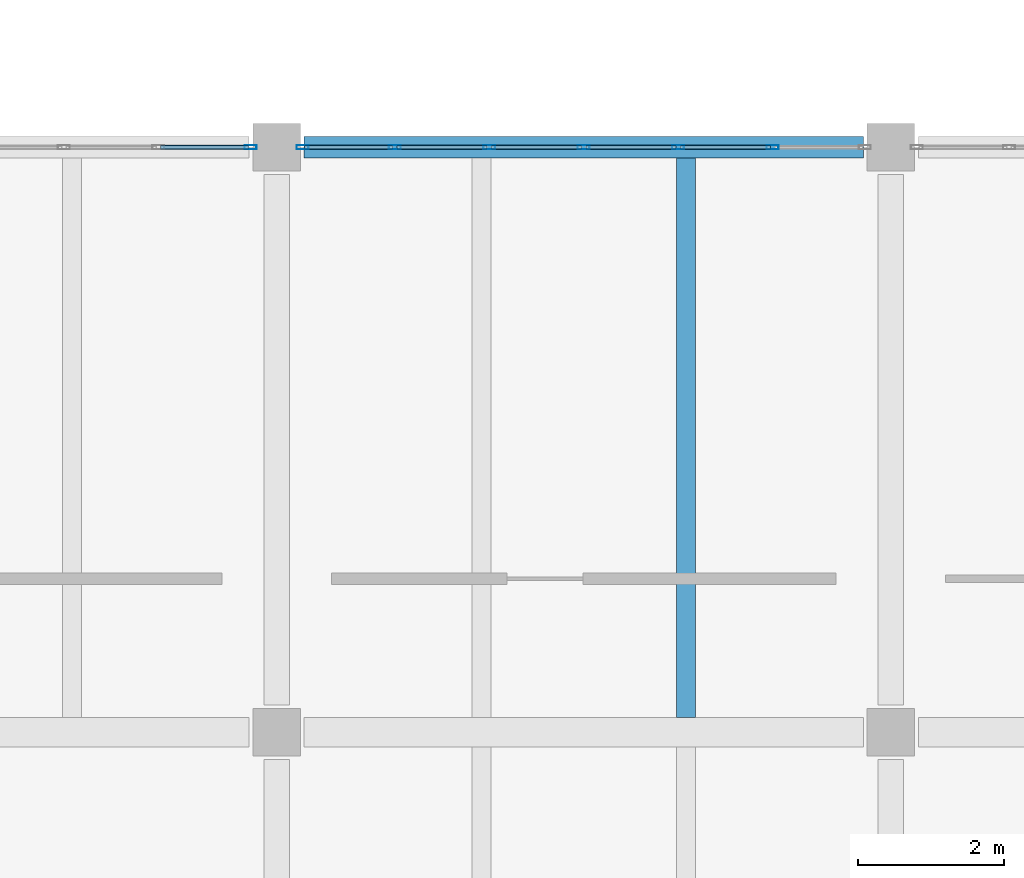
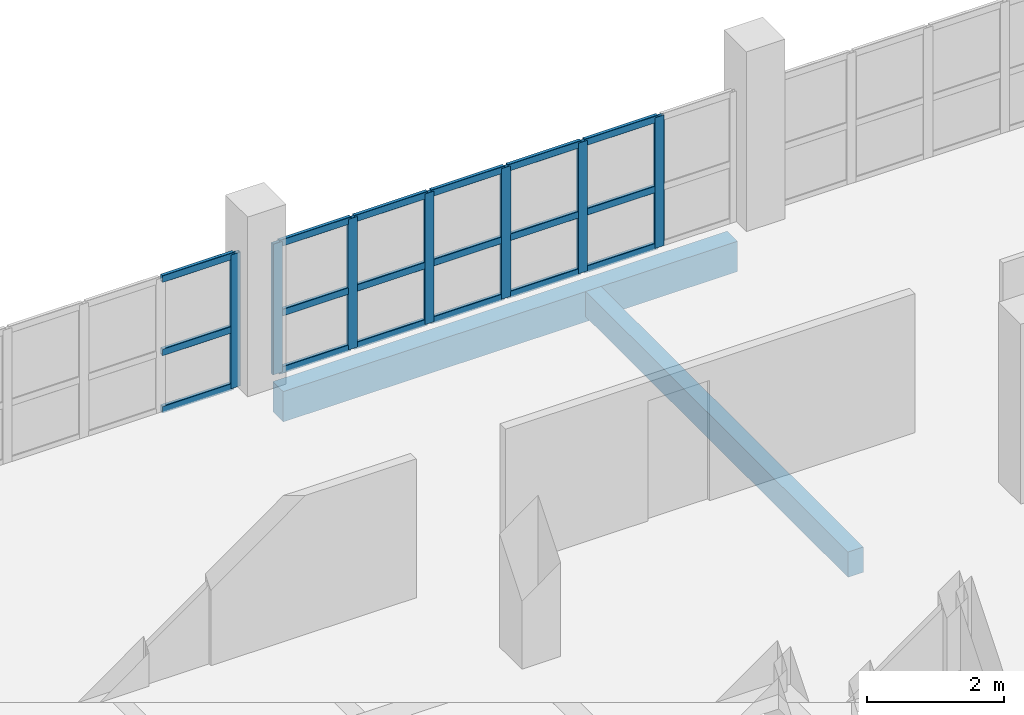
# One storey, part 13 of 33: 25 members, 2 beams, 2 elements without a shape of their own.
"""IFC4 building model written with IfcOpenShell, lengths in metres."""

from ifc_helpers import new_model, si_unit, direction, frame, origin, origin_2d, place, context, subcontext, project, spatial, rectangle, hollow_rectangle, extrude, material, layer, layer_set, material_profile, profile_set, type_object, element, aggregate, save


model = new_model("IFC4")

# Units and contexts
model_context = context("Model", 3, precision=1e-05, world=origin(), true_north=direction((0.0, 1.0)))
body_context = subcontext(model_context, "Body", "Model", "MODEL_VIEW")
ifc_project = project(units=[si_unit("LENGTHUNIT", "METRE"), si_unit("AREAUNIT", "SQUARE_METRE"), si_unit("VOLUMEUNIT", "CUBIC_METRE"), si_unit("PLANEANGLEUNIT", "RADIAN"), si_unit("MASSUNIT", "GRAM", prefix="KILO"), si_unit("THERMODYNAMICTEMPERATUREUNIT", "KELVIN"), si_unit("POWERUNIT", "WATT")], contexts=[model_context])

# Site, building, storey
site_placement = place(None, origin())
site = spatial("IfcSite", under=ifc_project, at=site_placement, CompositionType="ELEMENT")
building_placement = place(site_placement, origin())
building = spatial("IfcBuilding", under=site, at=building_placement, Name="Mavoryth Pier Ferry Terminal", CompositionType="ELEMENT")
storey_placement = place(building_placement, frame((0.0, 0.0, 13.1201171875)))
storey = spatial("IfcBuildingStorey", under=building, at=storey_placement, Name="L03", CompositionType="ELEMENT", Elevation=13.1201171875)

# Beam
ifc_material_1 = material(Name="Concrete C35/45", Category="concrete")
ifc_material_profile_1 = material_profile(ifc_material_1, rectangle(XDim=0.260009765625, YDim=0.449951171875, at=origin_2d()), Name="RC 260x450", Category="concrete")
ifc_profile_set_1 = profile_set([ifc_material_profile_1], Name="Concrete C35/45 - RC 260x450")
beam_type_1 = type_object("IfcBeamType", Name="Joist-RC-260x450", PredefinedType="JOIST", material=ifc_profile_set_1)
beam_1_placement = place(storey_placement, frame((72.800048828125, 14.199951171875, -0.485107421875), z_axis=(0.0, 1.0, 0.0), x_axis=(-1.0, 0.0, 0.0)))
element("IfcBeam", 1, at=beam_1_placement, inside=storey, type_object=beam_type_1, Name="Beam B03-BJ03-1297", PredefinedType="JOIST", context=body_context, shape_type="SweptSolid", body=[
    extrude(rectangle(XDim=0.260009765625, YDim=0.449951171875, at=origin_2d()), origin(), (0.0, 0.0, 1.0), 7.650146484375),
])

# Curtain wall, member
ifc_material_2 = material(Name="Anodised Aluminium and Solar-Control Low-E Glass", Category="aluminium")
ifc_layer = layer(ifc_material_2, 0.239990234375, Name="Anodised Aluminium and Solar-Control Low-E Glass", Category="aluminium")
ifc_layer_set = layer_set([ifc_layer], Name="Anodised Aluminium and Solar-Control Low-E Glass - CW-Operations-Mod1200")
curtain_wall_type = type_object("IfcCurtainWallType", Name="CW-Operations-Mod1200", PredefinedType="USERDEFINED", material=ifc_layer_set)
curtain_wall_1_placement = place(storey_placement, origin())
curtain_wall_1 = element("IfcCurtainWall", 2, at=curtain_wall_1_placement, inside=storey, type_object=curtain_wall_type, Name="Curtain Wall CW-0322-141", ObjectType="UNITISED CURTAIN WALL", PredefinedType="USERDEFINED")
ifc_material_3 = material(Name="Anodised Aluminium EN AW-6063", Category="aluminium")
ifc_material_profile_2 = material_profile(ifc_material_3, hollow_rectangle(XDim=0.06005859375, YDim=0.1650390625, WallThickness=0.00390625, InnerFilletRadius=0.00390625, OuterFilletRadius=0.008056640625, at=origin_2d()), Name="AL-MULL 165x60x4", Category="aluminium")
ifc_profile_set_2 = profile_set([ifc_material_profile_2], Name="Anodised Aluminium EN AW-6063 - AL-MULL 165x60x4")
member_type_1 = type_object("IfcMemberType", Name="Mullion-Alum-165x60", PredefinedType="MULLION", material=ifc_profile_set_2)
member_1_placement = place(storey_placement, frame((66.844970703125, 22.0, 0.0), z_axis=(0.0, 0.0, 1.0), x_axis=(0.0, -1.0, 0.0)))
member_1 = element("IfcMember", 3, at=member_1_placement, type_object=member_type_1, Name="CW06 mullion 1", PredefinedType="MULLION", context=body_context, shape_type="SweptSolid", body=[
    extrude(hollow_rectangle(XDim=0.06005859375, YDim=0.1650390625, WallThickness=0.00390625, InnerFilletRadius=0.00390625, OuterFilletRadius=0.008056640625, at=origin_2d()), origin(), (0.0, 0.0, 1.0), 2.384765625),
])

# Curtain wall, members
curtain_wall_2_placement = place(storey_placement, origin())
curtain_wall_2 = element("IfcCurtainWall", 4, at=curtain_wall_2_placement, inside=storey, type_object=curtain_wall_type, Name="Curtain Wall CW-0322-143", ObjectType="UNITISED CURTAIN WALL", PredefinedType="USERDEFINED")
member_2_placement = place(storey_placement, frame((73.9833984375, 22.0, 0.0), z_axis=(0.0, 0.0, 1.0), x_axis=(0.0, -1.0, 0.0)))
member_2 = element("IfcMember", 5, at=member_2_placement, type_object=member_type_1, Name="CW06 mullion 2", PredefinedType="MULLION", context=body_context, shape_type="SweptSolid", body=[
    extrude(hollow_rectangle(XDim=0.06005859375, YDim=0.1650390625, WallThickness=0.00390625, InnerFilletRadius=0.00390625, OuterFilletRadius=0.008056640625, at=origin_2d()), origin(), (0.0, 0.0, 1.0), 2.324951171875),
])
member_3_placement = place(storey_placement, frame((72.691650390625, 22.0, 0.0), z_axis=(0.0, 0.0, 1.0), x_axis=(0.0, -1.0, 0.0)))
member_3 = element("IfcMember", 6, at=member_3_placement, type_object=member_type_1, Name="CW06 mullion 3", PredefinedType="MULLION", context=body_context, shape_type="SweptSolid", body=[
    extrude(hollow_rectangle(XDim=0.06005859375, YDim=0.1650390625, WallThickness=0.00390625, InnerFilletRadius=0.00390625, OuterFilletRadius=0.008056640625, at=origin_2d()), origin(), (0.0, 0.0, 1.0), 2.324951171875),
])
member_4_placement = place(storey_placement, frame((71.39990234375, 22.0, 0.0), z_axis=(0.0, 0.0, 1.0), x_axis=(0.0, -1.0, 0.0)))
member_4 = element("IfcMember", 7, at=member_4_placement, type_object=member_type_1, Name="CW06 mullion 4", PredefinedType="MULLION", context=body_context, shape_type="SweptSolid", body=[
    extrude(hollow_rectangle(XDim=0.06005859375, YDim=0.1650390625, WallThickness=0.00390625, InnerFilletRadius=0.00390625, OuterFilletRadius=0.008056640625, at=origin_2d()), origin(), (0.0, 0.0, 1.0), 2.324951171875),
])
member_5_placement = place(storey_placement, frame((70.1083984375, 22.0, 0.0), z_axis=(0.0, 0.0, 1.0), x_axis=(0.0, -1.0, 0.0)))
member_5 = element("IfcMember", 8, at=member_5_placement, type_object=member_type_1, Name="CW06 mullion 5", PredefinedType="MULLION", context=body_context, shape_type="SweptSolid", body=[
    extrude(hollow_rectangle(XDim=0.06005859375, YDim=0.1650390625, WallThickness=0.00390625, InnerFilletRadius=0.00390625, OuterFilletRadius=0.008056640625, at=origin_2d()), origin(), (0.0, 0.0, 1.0), 2.324951171875),
])
member_6_placement = place(storey_placement, frame((68.816650390625, 22.0, 0.0), z_axis=(0.0, 0.0, 1.0), x_axis=(0.0, -1.0, 0.0)))
member_6 = element("IfcMember", 9, at=member_6_placement, type_object=member_type_1, Name="CW06 mullion 6", PredefinedType="MULLION", context=body_context, shape_type="SweptSolid", body=[
    extrude(hollow_rectangle(XDim=0.06005859375, YDim=0.1650390625, WallThickness=0.00390625, InnerFilletRadius=0.00390625, OuterFilletRadius=0.008056640625, at=origin_2d()), origin(), (0.0, 0.0, 1.0), 2.324951171875),
])
member_7_placement = place(storey_placement, frame((67.554931640625, 22.0, 0.0), z_axis=(0.0, 0.0, 1.0), x_axis=(0.0, -1.0, 0.0)))
member_7 = element("IfcMember", 10, at=member_7_placement, type_object=member_type_1, Name="CW06 mullion 7", PredefinedType="MULLION", context=body_context, shape_type="SweptSolid", body=[
    extrude(hollow_rectangle(XDim=0.06005859375, YDim=0.1650390625, WallThickness=0.00390625, InnerFilletRadius=0.00390625, OuterFilletRadius=0.008056640625, at=origin_2d()), origin(), (0.0, 0.0, 1.0), 2.324951171875),
])

# Beam
ifc_material_profile_3 = material_profile(ifc_material_1, rectangle(XDim=0.300048828125, YDim=0.5400390625, at=origin_2d()), Name="RC 300x540", Category="concrete")
ifc_profile_set_3 = profile_set([ifc_material_profile_3], Name="Concrete C35/45 - RC 300x540")
beam_type_2 = type_object("IfcBeamType", Name="Spandrel-RC-300x540", PredefinedType="SPANDREL", material=ifc_profile_set_3)
beam_2_placement = place(storey_placement, frame((67.574951171875, 22.0, -0.530029296875), z_axis=(1.0, 0.0, 0.0), x_axis=(0.0, 1.0, 0.0)))
element("IfcBeam", 11, at=beam_2_placement, inside=storey, type_object=beam_type_2, Name="Beam B03-SP02-1254", PredefinedType="SPANDREL", context=body_context, shape_type="SweptSolid", body=[
    extrude(rectangle(XDim=0.300048828125, YDim=0.5400390625, at=origin_2d()), origin(), (0.0, 0.0, 1.0), 7.650146484375),
])

# Member
ifc_material_profile_4 = material_profile(ifc_material_3, hollow_rectangle(XDim=0.06005859375, YDim=0.125, WallThickness=0.00390625, InnerFilletRadius=0.00390625, OuterFilletRadius=0.008056640625, at=origin_2d()), Name="AL-TRAN 125x60x4", Category="aluminium")
ifc_profile_set_4 = profile_set([ifc_material_profile_4], Name="Anodised Aluminium EN AW-6063 - AL-TRAN 125x60x4")
member_type_2 = type_object("IfcMemberType", Name="Transom-Alum-125x60", PredefinedType="USERDEFINED", material=ifc_profile_set_4)
member_8_placement = place(storey_placement, frame((66.81494140625, 22.0, 0.02978515625), z_axis=(-1.0, 0.0, 0.0), x_axis=(0.0, -1.0, 0.0)))
member_8 = element("IfcMember", 12, at=member_8_placement, type_object=member_type_2, Name="CW06 transom 1.1", ObjectType="TRANSOM", PredefinedType="USERDEFINED", context=body_context, shape_type="SweptSolid", body=[
    extrude(hollow_rectangle(XDim=0.06005859375, YDim=0.125, WallThickness=0.00390625, InnerFilletRadius=0.00390625, OuterFilletRadius=0.008056640625, at=origin_2d()), origin(), (0.0, 0.0, 1.0), 1.20166015625),
])

member_9_placement = place(storey_placement, frame((66.81494140625, 22.0, 1.0498046875), z_axis=(-1.0, 0.0, 0.0), x_axis=(0.0, -1.0, 0.0)))
member_9 = element("IfcMember", 13, at=member_9_placement, type_object=member_type_2, Name="CW06 transom 1.2", ObjectType="TRANSOM", PredefinedType="USERDEFINED", context=body_context, shape_type="SweptSolid", body=[
    extrude(hollow_rectangle(XDim=0.06005859375, YDim=0.125, WallThickness=0.00390625, InnerFilletRadius=0.00390625, OuterFilletRadius=0.008056640625, at=origin_2d()), origin(), (0.0, 0.0, 1.0), 1.20166015625),
])

member_10_placement = place(storey_placement, frame((66.81494140625, 22.0, 2.35498046875), z_axis=(-1.0, 0.0, 0.0), x_axis=(0.0, -1.0, 0.0)))
member_10 = element("IfcMember", 14, at=member_10_placement, type_object=member_type_2, Name="CW06 transom 1.3", ObjectType="TRANSOM", PredefinedType="USERDEFINED", context=body_context, shape_type="SweptSolid", body=[
    extrude(hollow_rectangle(XDim=0.06005859375, YDim=0.125, WallThickness=0.00390625, InnerFilletRadius=0.00390625, OuterFilletRadius=0.008056640625, at=origin_2d()), origin(), (0.0, 0.0, 1.0), 1.20166015625),
])

aggregate(curtain_wall_1, [member_1, member_8, member_9, member_10])

member_11_placement = place(storey_placement, frame((73.953369140625, 22.0, 0.02978515625), z_axis=(-1.0, 0.0, 0.0), x_axis=(0.0, -1.0, 0.0)))
member_11 = element("IfcMember", 15, at=member_11_placement, type_object=member_type_2, Name="CW06 transom 2.1", ObjectType="TRANSOM", PredefinedType="USERDEFINED", context=body_context, shape_type="SweptSolid", body=[
    extrude(hollow_rectangle(XDim=0.06005859375, YDim=0.125, WallThickness=0.00390625, InnerFilletRadius=0.00390625, OuterFilletRadius=0.008056640625, at=origin_2d()), origin(), (0.0, 0.0, 1.0), 1.231689453125),
])

member_12_placement = place(storey_placement, frame((73.953369140625, 22.0, 1.0498046875), z_axis=(-1.0, 0.0, 0.0), x_axis=(0.0, -1.0, 0.0)))
member_12 = element("IfcMember", 16, at=member_12_placement, type_object=member_type_2, Name="CW06 transom 2.2", ObjectType="TRANSOM", PredefinedType="USERDEFINED", context=body_context, shape_type="SweptSolid", body=[
    extrude(hollow_rectangle(XDim=0.06005859375, YDim=0.125, WallThickness=0.00390625, InnerFilletRadius=0.00390625, OuterFilletRadius=0.008056640625, at=origin_2d()), origin(), (0.0, 0.0, 1.0), 1.231689453125),
])

member_13_placement = place(storey_placement, frame((73.953369140625, 22.0, 2.294921875), z_axis=(-1.0, 0.0, 0.0), x_axis=(0.0, -1.0, 0.0)))
member_13 = element("IfcMember", 17, at=member_13_placement, type_object=member_type_2, Name="CW06 transom 2.3", ObjectType="TRANSOM", PredefinedType="USERDEFINED", context=body_context, shape_type="SweptSolid", body=[
    extrude(hollow_rectangle(XDim=0.06005859375, YDim=0.125, WallThickness=0.00390625, InnerFilletRadius=0.00390625, OuterFilletRadius=0.008056640625, at=origin_2d()), origin(), (0.0, 0.0, 1.0), 1.231689453125),
])

member_14_placement = place(storey_placement, frame((72.66162109375, 22.0, 0.02978515625), z_axis=(-1.0, 0.0, 0.0), x_axis=(0.0, -1.0, 0.0)))
member_14 = element("IfcMember", 18, at=member_14_placement, type_object=member_type_2, Name="CW06 transom 3.1", ObjectType="TRANSOM", PredefinedType="USERDEFINED", context=body_context, shape_type="SweptSolid", body=[
    extrude(hollow_rectangle(XDim=0.06005859375, YDim=0.125, WallThickness=0.00390625, InnerFilletRadius=0.00390625, OuterFilletRadius=0.008056640625, at=origin_2d()), origin(), (0.0, 0.0, 1.0), 1.231689453125),
])

member_15_placement = place(storey_placement, frame((72.66162109375, 22.0, 1.0498046875), z_axis=(-1.0, 0.0, 0.0), x_axis=(0.0, -1.0, 0.0)))
member_15 = element("IfcMember", 19, at=member_15_placement, type_object=member_type_2, Name="CW06 transom 3.2", ObjectType="TRANSOM", PredefinedType="USERDEFINED", context=body_context, shape_type="SweptSolid", body=[
    extrude(hollow_rectangle(XDim=0.06005859375, YDim=0.125, WallThickness=0.00390625, InnerFilletRadius=0.00390625, OuterFilletRadius=0.008056640625, at=origin_2d()), origin(), (0.0, 0.0, 1.0), 1.231689453125),
])

member_16_placement = place(storey_placement, frame((72.66162109375, 22.0, 2.294921875), z_axis=(-1.0, 0.0, 0.0), x_axis=(0.0, -1.0, 0.0)))
member_16 = element("IfcMember", 20, at=member_16_placement, type_object=member_type_2, Name="CW06 transom 3.3", ObjectType="TRANSOM", PredefinedType="USERDEFINED", context=body_context, shape_type="SweptSolid", body=[
    extrude(hollow_rectangle(XDim=0.06005859375, YDim=0.125, WallThickness=0.00390625, InnerFilletRadius=0.00390625, OuterFilletRadius=0.008056640625, at=origin_2d()), origin(), (0.0, 0.0, 1.0), 1.231689453125),
])

member_17_placement = place(storey_placement, frame((71.3701171875, 22.0, 0.02978515625), z_axis=(-1.0, 0.0, 0.0), x_axis=(0.0, -1.0, 0.0)))
member_17 = element("IfcMember", 21, at=member_17_placement, type_object=member_type_2, Name="CW06 transom 4.1", ObjectType="TRANSOM", PredefinedType="USERDEFINED", context=body_context, shape_type="SweptSolid", body=[
    extrude(hollow_rectangle(XDim=0.06005859375, YDim=0.125, WallThickness=0.00390625, InnerFilletRadius=0.00390625, OuterFilletRadius=0.008056640625, at=origin_2d()), origin(), (0.0, 0.0, 1.0), 1.231689453125),
])

member_18_placement = place(storey_placement, frame((71.3701171875, 22.0, 1.0498046875), z_axis=(-1.0, 0.0, 0.0), x_axis=(0.0, -1.0, 0.0)))
member_18 = element("IfcMember", 22, at=member_18_placement, type_object=member_type_2, Name="CW06 transom 4.2", ObjectType="TRANSOM", PredefinedType="USERDEFINED", context=body_context, shape_type="SweptSolid", body=[
    extrude(hollow_rectangle(XDim=0.06005859375, YDim=0.125, WallThickness=0.00390625, InnerFilletRadius=0.00390625, OuterFilletRadius=0.008056640625, at=origin_2d()), origin(), (0.0, 0.0, 1.0), 1.231689453125),
])

member_19_placement = place(storey_placement, frame((71.3701171875, 22.0, 2.294921875), z_axis=(-1.0, 0.0, 0.0), x_axis=(0.0, -1.0, 0.0)))
member_19 = element("IfcMember", 23, at=member_19_placement, type_object=member_type_2, Name="CW06 transom 4.3", ObjectType="TRANSOM", PredefinedType="USERDEFINED", context=body_context, shape_type="SweptSolid", body=[
    extrude(hollow_rectangle(XDim=0.06005859375, YDim=0.125, WallThickness=0.00390625, InnerFilletRadius=0.00390625, OuterFilletRadius=0.008056640625, at=origin_2d()), origin(), (0.0, 0.0, 1.0), 1.231689453125),
])

member_20_placement = place(storey_placement, frame((70.078369140625, 22.0, 0.02978515625), z_axis=(-1.0, 0.0, 0.0), x_axis=(0.0, -1.0, 0.0)))
member_20 = element("IfcMember", 24, at=member_20_placement, type_object=member_type_2, Name="CW06 transom 5.1", ObjectType="TRANSOM", PredefinedType="USERDEFINED", context=body_context, shape_type="SweptSolid", body=[
    extrude(hollow_rectangle(XDim=0.06005859375, YDim=0.125, WallThickness=0.00390625, InnerFilletRadius=0.00390625, OuterFilletRadius=0.008056640625, at=origin_2d()), origin(), (0.0, 0.0, 1.0), 1.231689453125),
])

member_21_placement = place(storey_placement, frame((70.078369140625, 22.0, 1.0498046875), z_axis=(-1.0, 0.0, 0.0), x_axis=(0.0, -1.0, 0.0)))
member_21 = element("IfcMember", 25, at=member_21_placement, type_object=member_type_2, Name="CW06 transom 5.2", ObjectType="TRANSOM", PredefinedType="USERDEFINED", context=body_context, shape_type="SweptSolid", body=[
    extrude(hollow_rectangle(XDim=0.06005859375, YDim=0.125, WallThickness=0.00390625, InnerFilletRadius=0.00390625, OuterFilletRadius=0.008056640625, at=origin_2d()), origin(), (0.0, 0.0, 1.0), 1.231689453125),
])

member_22_placement = place(storey_placement, frame((70.078369140625, 22.0, 2.294921875), z_axis=(-1.0, 0.0, 0.0), x_axis=(0.0, -1.0, 0.0)))
member_22 = element("IfcMember", 26, at=member_22_placement, type_object=member_type_2, Name="CW06 transom 5.3", ObjectType="TRANSOM", PredefinedType="USERDEFINED", context=body_context, shape_type="SweptSolid", body=[
    extrude(hollow_rectangle(XDim=0.06005859375, YDim=0.125, WallThickness=0.00390625, InnerFilletRadius=0.00390625, OuterFilletRadius=0.008056640625, at=origin_2d()), origin(), (0.0, 0.0, 1.0), 1.231689453125),
])

member_23_placement = place(storey_placement, frame((68.78662109375, 22.0, 0.02978515625), z_axis=(-1.0, 0.0, 0.0), x_axis=(0.0, -1.0, 0.0)))
member_23 = element("IfcMember", 27, at=member_23_placement, type_object=member_type_2, Name="CW06 transom 6.1", ObjectType="TRANSOM", PredefinedType="USERDEFINED", context=body_context, shape_type="SweptSolid", body=[
    extrude(hollow_rectangle(XDim=0.06005859375, YDim=0.125, WallThickness=0.00390625, InnerFilletRadius=0.00390625, OuterFilletRadius=0.008056640625, at=origin_2d()), origin(), (0.0, 0.0, 1.0), 1.20166015625),
])

member_24_placement = place(storey_placement, frame((68.78662109375, 22.0, 1.0498046875), z_axis=(-1.0, 0.0, 0.0), x_axis=(0.0, -1.0, 0.0)))
member_24 = element("IfcMember", 28, at=member_24_placement, type_object=member_type_2, Name="CW06 transom 6.2", ObjectType="TRANSOM", PredefinedType="USERDEFINED", context=body_context, shape_type="SweptSolid", body=[
    extrude(hollow_rectangle(XDim=0.06005859375, YDim=0.125, WallThickness=0.00390625, InnerFilletRadius=0.00390625, OuterFilletRadius=0.008056640625, at=origin_2d()), origin(), (0.0, 0.0, 1.0), 1.20166015625),
])

member_25_placement = place(storey_placement, frame((68.78662109375, 22.0, 2.294921875), z_axis=(-1.0, 0.0, 0.0), x_axis=(0.0, -1.0, 0.0)))
member_25 = element("IfcMember", 29, at=member_25_placement, type_object=member_type_2, Name="CW06 transom 6.3", ObjectType="TRANSOM", PredefinedType="USERDEFINED", context=body_context, shape_type="SweptSolid", body=[
    extrude(hollow_rectangle(XDim=0.06005859375, YDim=0.125, WallThickness=0.00390625, InnerFilletRadius=0.00390625, OuterFilletRadius=0.008056640625, at=origin_2d()), origin(), (0.0, 0.0, 1.0), 1.20166015625),
])

aggregate(curtain_wall_2, [member_2, member_3, member_4, member_5, member_6, member_7, member_11, member_12, member_13, member_14, member_15, member_16, member_17, member_18, member_19, member_20, member_21, member_22, member_23, member_24, member_25])

save(model, "model.ifc")
